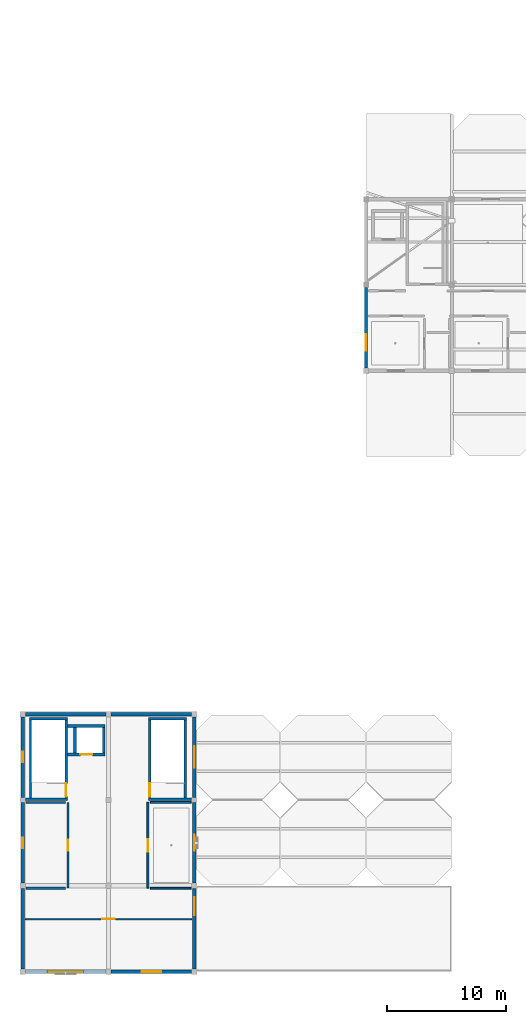
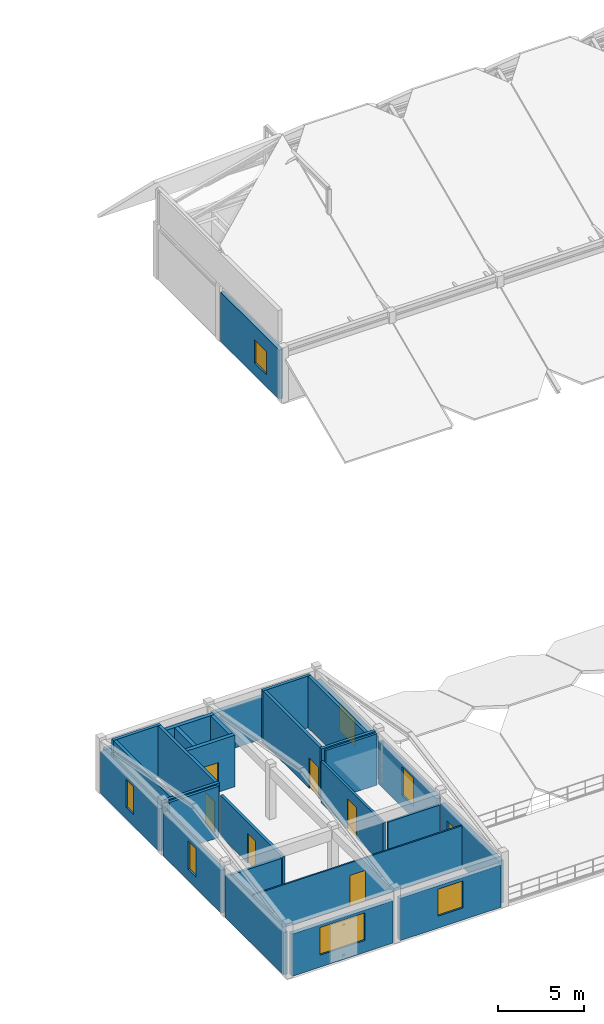
# One storey, part 37 of 54: 30 walls, 7 doors, 7 windows, 14 openings.
"""IFC4 building model written with IfcOpenShell, lengths in metres."""

import ifcopenshell
import ifcopenshell.guid

model = None  # the IFC model being written
_history = None  # IfcOwnerHistory: only IFC2X3 demands one
_inside = {}  # id of a spatial element -> (the spatial element, [elements in it])
_under = {}  # id of a project, library or spatial element -> (it, [spatial elements below it])
_declared = {}  # id of a project -> (the project, [libraries it declares])
_typed = {}  # id of a type object -> (the type object, [elements of that type])
_made_of = {}  # id of a material, layer set ... -> (it, [elements and type objects made of it])


def new_model(schema):
    """Start an empty IFC model of exactly this schema.

    Asked for "IFC4X3", IfcOpenShell would pick the latest addendum, in which some entities
    have other attributes; the version numbers below select the first issue.
    IFC2X3 requires an IfcOwnerHistory on every rooted entity: one is made here for all.
    """
    global model, _history
    if schema == "IFC4X3":
        model = ifcopenshell.file(schema_version=(4, 3, 0, 0))
    else:
        model = ifcopenshell.file(schema=schema)
    _inside.clear()
    _under.clear()
    _declared.clear()
    _typed.clear()
    _made_of.clear()
    _history = None
    if model.schema == "IFC2X3":
        org = make("IfcOrganization", Name="unknown")
        user = make(
            "IfcPersonAndOrganization",
            ThePerson=make("IfcPerson", FamilyName="unknown"),
            TheOrganization=org,
        )
        app = make(
            "IfcApplication",
            ApplicationDeveloper=org,
            Version="unknown",
            ApplicationFullName="unknown",
            ApplicationIdentifier="unknown",
        )
        _history = make(
            "IfcOwnerHistory",
            OwningUser=user,
            OwningApplication=app,
            ChangeAction="ADDED",
            CreationDate=0,
        )
    return model


def make(cls, **values):
    """One entity of the class cls with the attributes given. An attribute that is None is left unset."""
    return model.create_entity(
        cls, **{name: value for name, value in values.items() if value is not None}
    )


def rooted(cls, **values):
    """An entity with a GlobalId (a new one), such as an element, a storey or a relation."""
    return make(cls, GlobalId=ifcopenshell.guid.new(), OwnerHistory=_history, **values)


def si_unit(unit_type, name, prefix=None):
    """IfcSIUnit, for example si_unit("LENGTHUNIT", "METRE", prefix="MILLI")."""
    return make("IfcSIUnit", UnitType=unit_type, Prefix=prefix, Name=name)


def assignment(units):
    """IfcUnitAssignment: the units of a project."""
    return None if units is None else make("IfcUnitAssignment", Units=units)


def point(xyz):
    """IfcCartesianPoint."""
    return None if xyz is None else make("IfcCartesianPoint", Coordinates=xyz)


def direction(xyz):
    """IfcDirection."""
    return None if xyz is None else make("IfcDirection", DirectionRatios=xyz)


def frame(location, z_axis=None, x_axis=None):
    """IfcAxis2Placement3D, a coordinate frame: its origin and axes. An axis left out is left unset."""
    return make(
        "IfcAxis2Placement3D",
        Location=point(location),
        Axis=direction(z_axis),
        RefDirection=direction(x_axis),
    )


def frame_2d(location, x_axis=None):
    """IfcAxis2Placement2D, a coordinate frame in the plane: its origin and x axis."""
    return make(
        "IfcAxis2Placement2D", Location=point(location), RefDirection=direction(x_axis)
    )


def origin():
    """The frame at (0, 0, 0) with its axes left unset."""
    return frame((0.0, 0.0, 0.0))


def place(relative_to, where):
    """IfcLocalPlacement: puts the frame where relative to a parent placement (None: the world)."""
    return make(
        "IfcLocalPlacement", PlacementRelTo=relative_to, RelativePlacement=where
    )


def context(
    kind, dimensions, precision=None, world=None, true_north=None, identifier=None
):
    """IfcGeometricRepresentationContext, for example the 3D "Model" context."""
    return make(
        "IfcGeometricRepresentationContext",
        ContextIdentifier=identifier,
        ContextType=kind,
        CoordinateSpaceDimension=dimensions,
        Precision=precision,
        WorldCoordinateSystem=world,
        TrueNorth=true_north,
    )


def subcontext(parent, identifier, kind, view, scale=None):
    """IfcGeometricRepresentationSubContext, for example "Body" below "Model"."""
    return make(
        "IfcGeometricRepresentationSubContext",
        ContextIdentifier=identifier,
        ContextType=kind,
        ParentContext=parent,
        TargetScale=scale,
        TargetView=view,
    )


def project(units=None, contexts=None):
    """IfcProject with its units and contexts."""
    return rooted(
        "IfcProject",
        Name="project",
        RepresentationContexts=contexts,
        UnitsInContext=assignment(units),
    )


def spatial(cls, under=None, at=None, **own):
    """A site, building, storey or space (cls), placed at a placement, below another one or the project."""
    s = rooted(cls, ObjectPlacement=at, **own)
    if under is not None:
        _under.setdefault(under.id(), (under, []))[1].append(s)
    return s


def profile(cls, at=None, kind="AREA", **sizes):
    """A parametric profile (cls). Its sizes go by their IFC names, for example OverallWidth=200.0."""
    return make(cls, ProfileType=kind, Position=at, **sizes)


def rectangle(**sizes):
    """IfcRectangleProfileDef."""
    return profile("IfcRectangleProfileDef", **sizes)


def extrude(swept, where, along, depth):
    """IfcExtrudedAreaSolid: the profile swept, set in the frame where, extruded along a direction by depth."""
    return make(
        "IfcExtrudedAreaSolid",
        SweptArea=swept,
        Position=where,
        ExtrudedDirection=direction(along),
        Depth=depth,
    )


def shape(context_of_items, identifier, shape_type, items):
    """IfcShapeRepresentation: the items that make up one representation, for example the "Body"."""
    return make(
        "IfcShapeRepresentation",
        ContextOfItems=context_of_items,
        RepresentationIdentifier=identifier,
        RepresentationType=shape_type,
        Items=items,
    )


def material(Name=None, Category=None):
    """IfcMaterial."""
    return make("IfcMaterial", Name=Name, Category=Category)


def layer(
    of_material, thickness, ventilated=None, Name=None, Category=None, Priority=None
):
    """IfcMaterialLayer: one layer of a wall or slab, of a material (None: an air gap)."""
    return make(
        "IfcMaterialLayer",
        Material=of_material,
        LayerThickness=thickness,
        IsVentilated=ventilated,
        Name=Name,
        Category=Category,
        Priority=Priority,
    )


def layer_set(layers, Name=None):
    """IfcMaterialLayerSet."""
    return make("IfcMaterialLayerSet", MaterialLayers=layers, LayerSetName=Name)


def made_of(thing, what):
    """Note that an element or type object is made of a material, layer set ...; save() writes the relation."""
    if what is not None:
        _made_of.setdefault(what.id(), (what, []))[1].append(thing)
    return thing


def type_object(cls, material=None, **own):
    """A type object (cls), such as IfcWallType, which elements share."""
    return made_of(rooted(cls, **own), material)


def element(
    cls,
    number,
    at=None,
    inside=None,
    cuts=None,
    type_object=None,
    material=None,
    context=None,
    identifier="Body",
    shape_type=None,
    held_by="IfcProductDefinitionShape",
    body=None,
    shapes=None,
    **own,
):
    """One element of the class cls, such as IfcWall. Its Tag is "e" and its number.

    at: its placement. inside: the storey or other place that contains it. cuts: it is an
    opening in that element (IfcRelVoidsElement). A single representation is given by context,
    identifier, shape_type and body (its items); several are given by shapes. held_by: the class
    of the entity that holds the representations. save() writes the other relations.
    """
    e = rooted(cls, Tag="e%d" % number, ObjectPlacement=at, **own)
    if body is not None:
        shapes = [shape(context, identifier, shape_type, body)]
    if shapes is not None:
        e.Representation = make(held_by, Representations=shapes)
    if inside is not None:
        _inside.setdefault(inside.id(), (inside, []))[1].append(e)
    if cuts is not None:
        rooted(
            "IfcRelVoidsElement", RelatingBuildingElement=cuts, RelatedOpeningElement=e
        )
    if type_object is not None:
        _typed.setdefault(type_object.id(), (type_object, []))[1].append(e)
    return made_of(e, material)


def fill(opening, filler):
    """IfcRelFillsElement: the door or window that sits in an opening."""
    return rooted(
        "IfcRelFillsElement",
        RelatingOpeningElement=opening,
        RelatedBuildingElement=filler,
    )


def aggregate(whole, parts):
    """IfcRelAggregates: a whole, such as a stair, and the parts it consists of."""
    return rooted("IfcRelAggregates", RelatingObject=whole, RelatedObjects=parts)


def save(model, path):
    """Write the relations noted so far, then the file.

    IfcRelAggregates (storeys below a building ...), IfcRelContainedInSpatialStructure (elements
    in a storey), IfcRelDefinesByType, IfcRelAssociatesMaterial and IfcRelDeclares: one each for
    every whole, place, type object, material and project.
    """
    for whole, parts in _under.values():
        aggregate(whole, parts)
    for where, things in _inside.values():
        rooted(
            "IfcRelContainedInSpatialStructure",
            RelatedElements=things,
            RelatingStructure=where,
        )
    for kind, things in _typed.values():
        rooted("IfcRelDefinesByType", RelatedObjects=things, RelatingType=kind)
    for what, things in _made_of.values():
        rooted("IfcRelAssociatesMaterial", RelatedObjects=things, RelatingMaterial=what)
    for by, libraries in _declared.values():
        rooted("IfcRelDeclares", RelatingContext=by, RelatedDefinitions=libraries)
    model.write(path)


model = new_model("IFC4")

# Units and contexts
model_context = context("Model", 3, precision=1e-05, world=origin(), true_north=direction((0.0, 1.0)))
body_context = subcontext(model_context, "Body", "Model", "MODEL_VIEW")
ifc_project = project(units=[si_unit("LENGTHUNIT", "METRE"), si_unit("AREAUNIT", "SQUARE_METRE"), si_unit("VOLUMEUNIT", "CUBIC_METRE"), si_unit("PLANEANGLEUNIT", "RADIAN"), si_unit("MASSUNIT", "GRAM", prefix="KILO")], contexts=[model_context])

# Site, building, storey
site_placement = place(None, origin())
site = spatial("IfcSite", under=ifc_project, at=site_placement, CompositionType="ELEMENT")
building_placement = place(site_placement, origin())
building = spatial("IfcBuilding", under=site, at=building_placement, Name="Koriwan Promenade Central Fire Station", CompositionType="ELEMENT")
storey_placement = place(building_placement, frame((0.0, 0.0, 9.60009765625)))
storey = spatial("IfcBuildingStorey", under=building, at=storey_placement, Name="L02", CompositionType="ELEMENT", Elevation=9.60009765625)

# Wall, opening, door
ifc_material_1 = material(Name="Precast concrete C40/50", Category="concrete")
ifc_layer_1 = layer(ifc_material_1, 0.280029296875, Name="Precast concrete C40/50")
ifc_layer_set_1 = layer_set([ifc_layer_1], Name="Precast concrete C40/50")
wall_type_1 = type_object("IfcWallType", Name="ExtWall_Terracotta_280", PredefinedType="ELEMENTEDWALL", material=ifc_layer_set_1)
wall_1_placement = place(storey_placement, frame((14.39990234375, 0.22509765625, 0.0), z_axis=(0.0, 0.0, 1.0), x_axis=(0.0, 1.0, 0.0)))
wall_1 = element("IfcWall", 1, at=wall_1_placement, inside=storey, type_object=wall_type_1, Name="V3 L02 exterior wall 143", PredefinedType="ELEMENTEDWALL", context=body_context, shape_type="SweptSolid", body=[
    extrude(rectangle(XDim=6.75, YDim=0.280029296875, at=frame_2d((3.375, 0.0))), origin(), (0.0, 0.0, 1.0), 2.989990234375),
])
opening_1_placement = place(wall_1_placement, frame((4.514892578125, 0.0, 0.0)))
opening_1 = element("IfcOpeningElement", 2, at=opening_1_placement, cuts=wall_1, Name="Opening TD-020", PredefinedType="OPENING", context=body_context, shape_type="SweptSolid", body=[
    extrude(rectangle(XDim=1.5, YDim=2.199951171875, at=frame_2d((0.75, 1.10009765625))), frame((0.0, 0.15185546875, 0.0), z_axis=(0.0, -1.0, 0.0), x_axis=(1.0, 0.0, 0.0)), (0.0, 0.0, 1.0), 0.303955078125),
])
ifc_material_2 = material(Name="Aluminium EN AW-6063-T6 and laminated safety glass", Category="aluminium")
door_type_1 = type_object("IfcDoorType", Name="TerraceDoor_1500x2200", OperationType="DOUBLE_SWING_LEFT", PredefinedType="DOOR", material=ifc_material_2)
door_1_placement = place(opening_1_placement, frame((1.5, 0.0, 0.0), z_axis=(0.0, 0.0, 1.0), x_axis=(-1.0, 0.0, 0.0)))
door_1 = element("IfcDoor", 3, at=door_1_placement, inside=storey, type_object=door_type_1, Name="V3 L02 Terrace Access Door TD-020", OperationType="DOUBLE_SWING_LEFT", OverallHeight=2.199951171875, OverallWidth=1.5, PredefinedType="DOOR", context=body_context, shape_type="SweptSolid", body=[
    extrude(rectangle(XDim=1.5, YDim=2.199951171875, at=frame_2d((0.75, 1.10009765625))), frame((0.0, 0.02490234375, 0.0), z_axis=(0.0, -1.0, 0.0), x_axis=(1.0, 0.0, 0.0)), (0.0, 0.0, 1.0), 0.050048828125),
])
fill(opening_1, door_1)

# Wall, opening, window
wall_2_placement = place(storey_placement, frame((14.39990234375, 7.425048828125, 0.0), z_axis=(0.0, 0.0, 1.0), x_axis=(0.0, 1.0, 0.0)))
wall_2 = element("IfcWall", 4, at=wall_2_placement, inside=storey, type_object=wall_type_1, Name="V3 L02 exterior wall 144", PredefinedType="ELEMENTEDWALL", context=body_context, shape_type="SweptSolid", body=[
    extrude(rectangle(XDim=6.75, YDim=0.280029296875, at=frame_2d((3.375, 0.0))), origin(), (0.0, 0.0, 1.0), 3.039794921875),
])
opening_2_placement = place(wall_2_placement, frame((2.699951171875, 0.0, 0.85009765625)))
opening_2 = element("IfcOpeningElement", 5, at=opening_2_placement, cuts=wall_2, Name="Opening W-05", PredefinedType="OPENING", context=body_context, shape_type="SweptSolid", body=[
    extrude(rectangle(XDim=1.35009765625, YDim=2.0, at=frame_2d((0.675048828125, 1.0))), frame((0.0, 0.15185546875, 0.0), z_axis=(0.0, -1.0, 0.0), x_axis=(1.0, 0.0, 0.0)), (0.0, 0.0, 1.0), 0.303955078125),
])
ifc_material_3 = material(Name="Solar-control low-E laminated double glazing", Category="glass")
window_type_1 = type_object("IfcWindowType", Name="Win_HQ_1350x2000", PartitioningType="SINGLE_PANEL", PredefinedType="WINDOW", material=ifc_material_3)
window_1_placement = place(opening_2_placement, origin())
window_1 = element("IfcWindow", 6, at=window_1_placement, inside=storey, type_object=window_type_1, Name="V3 L02 window 0060", OverallHeight=2.0, OverallWidth=1.35009765625, PartitioningType="SINGLE_PANEL", PredefinedType="WINDOW", context=body_context, shape_type="SweptSolid", body=[
    extrude(rectangle(XDim=1.35009765625, YDim=2.0, at=frame_2d((0.675048828125, 1.0))), frame((0.0, 0.030029296875, 0.0), z_axis=(0.0, -1.0, 0.0), x_axis=(1.0, 0.0, 0.0)), (0.0, 0.0, 1.0), 0.06005859375),
])
fill(opening_2, window_1)

wall_3_placement = place(storey_placement, frame((14.39990234375, 14.625, 0.0), z_axis=(0.0, 0.0, 1.0), x_axis=(0.0, 1.0, 0.0)))
wall_3 = element("IfcWall", 7, at=wall_3_placement, inside=storey, type_object=wall_type_1, Name="V3 L02 exterior wall 145", PredefinedType="ELEMENTEDWALL", context=body_context, shape_type="SweptSolid", body=[
    extrude(rectangle(XDim=6.75, YDim=0.280029296875, at=frame_2d((3.375, 0.0))), origin(), (0.0, 0.0, 1.0), 2.989990234375),
])
opening_3_placement = place(wall_3_placement, frame((2.47509765625, 0.0, 0.85009765625)))
opening_3 = element("IfcOpeningElement", 8, at=opening_3_placement, cuts=wall_3, Name="Opening W-06", PredefinedType="OPENING", context=body_context, shape_type="SweptSolid", body=[
    extrude(rectangle(XDim=1.800048828125, YDim=1.949951171875, at=frame_2d((0.89990234375, 0.97509765625))), frame((0.0, 0.15185546875, 0.0), z_axis=(0.0, -1.0, 0.0), x_axis=(1.0, 0.0, 0.0)), (0.0, 0.0, 1.0), 0.303955078125),
])
window_type_2 = type_object("IfcWindowType", Name="Win_HQ_1800x1950", PartitioningType="SINGLE_PANEL", PredefinedType="WINDOW", material=ifc_material_3)
window_2_placement = place(opening_3_placement, origin())
window_2 = element("IfcWindow", 9, at=window_2_placement, inside=storey, type_object=window_type_2, Name="V3 L02 window 0061", OverallHeight=1.949951171875, OverallWidth=1.800048828125, PartitioningType="SINGLE_PANEL", PredefinedType="WINDOW", context=body_context, shape_type="SweptSolid", body=[
    extrude(rectangle(XDim=1.800048828125, YDim=1.949951171875, at=frame_2d((0.89990234375, 0.97509765625))), frame((0.0, 0.030029296875, 0.0), z_axis=(0.0, -1.0, 0.0), x_axis=(1.0, 0.0, 0.0)), (0.0, 0.0, 1.0), 0.06005859375),
])
fill(opening_3, window_2)

# Walls
wall_4_placement = place(storey_placement, frame((14.175048828125, 21.60009765625, 0.0), z_axis=(0.0, 0.0, 1.0), x_axis=(-1.0, 0.0, 0.0)))
element("IfcWall", 10, at=wall_4_placement, inside=storey, type_object=wall_type_1, Name="V3 L02 exterior wall 146", PredefinedType="ELEMENTEDWALL", context=body_context, shape_type="SweptSolid", body=[
    extrude(rectangle(XDim=6.75, YDim=0.280029296875, at=frame_2d((3.375, 0.0))), origin(), (0.0, 0.0, 1.0), 2.93994140625),
])
wall_5_placement = place(storey_placement, frame((6.97509765625, 21.60009765625, 0.0), z_axis=(0.0, 0.0, 1.0), x_axis=(-1.0, 0.0, 0.0)))
element("IfcWall", 11, at=wall_5_placement, inside=storey, type_object=wall_type_1, Name="V3 L02 exterior wall 147", PredefinedType="ELEMENTEDWALL", context=body_context, shape_type="SweptSolid", body=[
    extrude(rectangle(XDim=6.75, YDim=0.280029296875, at=frame_2d((3.375, 0.0))), origin(), (0.0, 0.0, 1.0), 2.889892578125),
])

# Wall, opening, window
wall_6_placement = place(storey_placement, frame((0.0, 21.375, 0.0), z_axis=(0.0, 0.0, 1.0), x_axis=(0.0, -1.0, 0.0)))
wall_6 = element("IfcWall", 12, at=wall_6_placement, inside=storey, type_object=wall_type_1, Name="V3 L02 exterior wall 148", PredefinedType="ELEMENTEDWALL", context=body_context, shape_type="SweptSolid", body=[
    extrude(rectangle(XDim=6.75, YDim=0.280029296875, at=frame_2d((3.375, 0.0))), origin(), (0.0, 0.0, 1.0), 2.989990234375),
])
opening_4_placement = place(wall_6_placement, frame((2.925048828125, 0.0, 0.800048828125)))
opening_4 = element("IfcOpeningElement", 13, at=opening_4_placement, cuts=wall_6, Name="Opening W-04", PredefinedType="OPENING", context=body_context, shape_type="SweptSolid", body=[
    extrude(rectangle(XDim=0.89990234375, YDim=2.0, at=frame_2d((0.449951171875, 1.0))), frame((0.0, 0.15185546875, 0.0), z_axis=(0.0, -1.0, 0.0), x_axis=(1.0, 0.0, 0.0)), (0.0, 0.0, 1.0), 0.303955078125),
])
window_type_3 = type_object("IfcWindowType", Name="Win_HQ_900x2000", PartitioningType="SINGLE_PANEL", PredefinedType="WINDOW", material=ifc_material_3)
window_3_placement = place(opening_4_placement, origin())
window_3 = element("IfcWindow", 14, at=window_3_placement, inside=storey, type_object=window_type_3, Name="V3 L02 window 0062", OverallHeight=2.0, OverallWidth=0.89990234375, PartitioningType="SINGLE_PANEL", PredefinedType="WINDOW", context=body_context, shape_type="SweptSolid", body=[
    extrude(rectangle(XDim=0.89990234375, YDim=2.0, at=frame_2d((0.449951171875, 1.0))), frame((0.0, 0.030029296875, 0.0), z_axis=(0.0, -1.0, 0.0), x_axis=(1.0, 0.0, 0.0)), (0.0, 0.0, 1.0), 0.06005859375),
])
fill(opening_4, window_3)

wall_7_placement = place(storey_placement, frame((0.0, 14.175048828125, 0.0), z_axis=(0.0, 0.0, 1.0), x_axis=(0.0, -1.0, 0.0)))
wall_7 = element("IfcWall", 15, at=wall_7_placement, inside=storey, type_object=wall_type_1, Name="V3 L02 exterior wall 149", PredefinedType="ELEMENTEDWALL", context=body_context, shape_type="SweptSolid", body=[
    extrude(rectangle(XDim=6.75, YDim=0.280029296875, at=frame_2d((3.375, 0.0))), origin(), (0.0, 0.0, 1.0), 3.039794921875),
])
opening_5_placement = place(wall_7_placement, frame((2.925048828125, 0.0, 0.800048828125)))
opening_5 = element("IfcOpeningElement", 16, at=opening_5_placement, cuts=wall_7, Name="Opening W-04", PredefinedType="OPENING", context=body_context, shape_type="SweptSolid", body=[
    extrude(rectangle(XDim=0.89990234375, YDim=2.0, at=frame_2d((0.449951171875, 1.0))), frame((0.0, 0.15185546875, 0.0), z_axis=(0.0, -1.0, 0.0), x_axis=(1.0, 0.0, 0.0)), (0.0, 0.0, 1.0), 0.303955078125),
])
window_4_placement = place(opening_5_placement, origin())
window_4 = element("IfcWindow", 17, at=window_4_placement, inside=storey, type_object=window_type_3, Name="V3 L02 window 0063", OverallHeight=2.0, OverallWidth=0.89990234375, PartitioningType="SINGLE_PANEL", PredefinedType="WINDOW", context=body_context, shape_type="SweptSolid", body=[
    extrude(rectangle(XDim=0.89990234375, YDim=2.0, at=frame_2d((0.449951171875, 1.0))), frame((0.0, 0.030029296875, 0.0), z_axis=(0.0, -1.0, 0.0), x_axis=(1.0, 0.0, 0.0)), (0.0, 0.0, 1.0), 0.06005859375),
])
fill(opening_5, window_4)

# Wall
wall_8_placement = place(storey_placement, frame((0.0, 6.97509765625, 0.0), z_axis=(0.0, 0.0, 1.0), x_axis=(0.0, -1.0, 0.0)))
element("IfcWall", 18, at=wall_8_placement, inside=storey, type_object=wall_type_1, Name="V3 L02 exterior wall 150", PredefinedType="ELEMENTEDWALL", context=body_context, shape_type="SweptSolid", body=[
    extrude(rectangle(XDim=6.75, YDim=0.280029296875, at=frame_2d((3.375, 0.0))), origin(), (0.0, 0.0, 1.0), 2.989990234375),
])

# Wall, opening, window
wall_9_placement = place(storey_placement, frame((0.22509765625, 0.0, 0.0), z_axis=(0.0, 0.0, 1.0), x_axis=(1.0, 0.0, 0.0)))
wall_9 = element("IfcWall", 19, at=wall_9_placement, inside=storey, type_object=wall_type_1, Name="V3 L02 exterior wall 151", PredefinedType="ELEMENTEDWALL", context=body_context, shape_type="SweptSolid", body=[
    extrude(rectangle(XDim=6.75, YDim=0.280029296875, at=frame_2d((3.375, 0.0))), origin(), (0.0, 0.0, 1.0), 2.989990234375),
])
opening_6_placement = place(wall_9_placement, frame((1.875, 0.0, 0.85009765625)))
opening_6 = element("IfcOpeningElement", 20, at=opening_6_placement, cuts=wall_9, Name="Opening W-14", PredefinedType="OPENING", context=body_context, shape_type="SweptSolid", body=[
    extrude(rectangle(XDim=3.0, YDim=1.949951171875, at=frame_2d((1.5, 0.97509765625))), frame((0.0, 0.15185546875, 0.0), z_axis=(0.0, -1.0, 0.0), x_axis=(1.0, 0.0, 0.0)), (0.0, 0.0, 1.0), 0.303955078125),
])
window_type_4 = type_object("IfcWindowType", Name="Win_Watch_3000x1950", PartitioningType="SINGLE_PANEL", PredefinedType="WINDOW", material=ifc_material_3)
window_5_placement = place(opening_6_placement, origin())
window_5 = element("IfcWindow", 21, at=window_5_placement, inside=storey, type_object=window_type_4, Name="V3 L02 window 0064", OverallHeight=1.949951171875, OverallWidth=3.0, PartitioningType="SINGLE_PANEL", PredefinedType="WINDOW", context=body_context, shape_type="SweptSolid", body=[
    extrude(rectangle(XDim=3.0, YDim=1.949951171875, at=frame_2d((1.5, 0.97509765625))), frame((0.0, 0.030029296875, 0.0), z_axis=(0.0, -1.0, 0.0), x_axis=(1.0, 0.0, 0.0)), (0.0, 0.0, 1.0), 0.06005859375),
])
fill(opening_6, window_5)

wall_10_placement = place(storey_placement, frame((7.425048828125, 0.0, 0.0), z_axis=(0.0, 0.0, 1.0), x_axis=(1.0, 0.0, 0.0)))
wall_10 = element("IfcWall", 22, at=wall_10_placement, inside=storey, type_object=wall_type_1, Name="V3 L02 exterior wall 152", PredefinedType="ELEMENTEDWALL", context=body_context, shape_type="SweptSolid", body=[
    extrude(rectangle(XDim=6.75, YDim=0.280029296875, at=frame_2d((3.375, 0.0))), origin(), (0.0, 0.0, 1.0), 2.989990234375),
])
opening_7_placement = place(wall_10_placement, frame((2.550048828125, 0.0, 0.85009765625)))
opening_7 = element("IfcOpeningElement", 23, at=opening_7_placement, cuts=wall_10, Name="Opening W-15", PredefinedType="OPENING", context=body_context, shape_type="SweptSolid", body=[
    extrude(rectangle(XDim=1.64990234375, YDim=1.89990234375, at=frame_2d((0.824951171875, 0.949951171875))), frame((0.0, 0.15185546875, 0.0), z_axis=(0.0, -1.0, 0.0), x_axis=(1.0, 0.0, 0.0)), (0.0, 0.0, 1.0), 0.303955078125),
])
window_type_5 = type_object("IfcWindowType", Name="Win_Office_1650x1900", PartitioningType="SINGLE_PANEL", PredefinedType="WINDOW", material=ifc_material_3)
window_6_placement = place(opening_7_placement, origin())
window_6 = element("IfcWindow", 24, at=window_6_placement, inside=storey, type_object=window_type_5, Name="V3 L02 window 0065", OverallHeight=1.89990234375, OverallWidth=1.64990234375, PartitioningType="SINGLE_PANEL", PredefinedType="WINDOW", context=body_context, shape_type="SweptSolid", body=[
    extrude(rectangle(XDim=1.64990234375, YDim=1.89990234375, at=frame_2d((0.824951171875, 0.949951171875))), frame((0.0, 0.030029296875, 0.0), z_axis=(0.0, -1.0, 0.0), x_axis=(1.0, 0.0, 0.0)), (0.0, 0.0, 1.0), 0.06005859375),
])
fill(opening_7, window_6)

wall_11_placement = place(storey_placement, frame((28.800048828125, 57.375, 0.0), z_axis=(0.0, 0.0, 1.0), x_axis=(0.0, -1.0, 0.0)))
wall_11 = element("IfcWall", 25, at=wall_11_placement, inside=storey, type_object=wall_type_1, Name="V4 L02 exterior wall 200", PredefinedType="ELEMENTEDWALL", context=body_context, shape_type="SweptSolid", body=[
    extrude(rectangle(XDim=6.75, YDim=0.280029296875, at=frame_2d((3.375, 0.0))), origin(), (0.0, 0.0, 1.0), 3.472900390625),
])
opening_8_placement = place(wall_11_placement, frame((3.91259765625, 0.0, 0.85009765625)))
opening_8 = element("IfcOpeningElement", 26, at=opening_8_placement, cuts=wall_11, Name="Opening W-07", PredefinedType="OPENING", context=body_context, shape_type="SweptSolid", body=[
    extrude(rectangle(XDim=1.39990234375, YDim=1.64990234375, at=frame_2d((0.699951171875, 0.824951171875))), frame((0.0, 0.15185546875, 0.0), z_axis=(0.0, -1.0, 0.0), x_axis=(1.0, 0.0, 0.0)), (0.0, 0.0, 1.0), 0.303955078125),
])
window_type_6 = type_object("IfcWindowType", Name="Win_Dorm_1400x1650", PartitioningType="SINGLE_PANEL", PredefinedType="WINDOW", material=ifc_material_3)
window_7_placement = place(opening_8_placement, origin())
window_7 = element("IfcWindow", 27, at=window_7_placement, inside=storey, type_object=window_type_6, Name="V4 L02 dormitory window 0079", OverallHeight=1.64990234375, OverallWidth=1.39990234375, PartitioningType="SINGLE_PANEL", PredefinedType="WINDOW", context=body_context, shape_type="SweptSolid", body=[
    extrude(rectangle(XDim=1.39990234375, YDim=1.64990234375, at=frame_2d((0.699951171875, 0.824951171875))), frame((0.0, 0.030029296875, 0.0), z_axis=(0.0, -1.0, 0.0), x_axis=(1.0, 0.0, 0.0)), (0.0, 0.0, 1.0), 0.06005859375),
])
fill(opening_8, window_7)

# Wall, opening, door
ifc_material_4 = material(Name="Gypsum board acoustic stud partition", Category="gypsum")
ifc_layer_2 = layer(ifc_material_4, 0.10009765625, Name="Gypsum board acoustic stud partition")
ifc_layer_set_2 = layer_set([ifc_layer_2], Name="Gypsum board acoustic stud partition")
wall_type_2 = type_object("IfcWallType", Name="IntWall_Drywall_100", PredefinedType="PARTITIONING", material=ifc_layer_set_2)
wall_12_placement = place(storey_placement, frame((0.219970703125, 4.39990234375, 0.0), z_axis=(0.0, 0.0, 1.0), x_axis=(1.0, 0.0, 0.0)))
wall_12 = element("IfcWall", 28, at=wall_12_placement, inside=storey, type_object=wall_type_2, Name="Emergency Broadcast and Media Studio partition N", PredefinedType="PARTITIONING", context=body_context, shape_type="SweptSolid", body=[
    extrude(rectangle(XDim=13.9599609375, YDim=0.10009765625, at=frame_2d((6.97998046875, 0.0))), origin(), (0.0, 0.0, 1.0), 3.037841796875),
])
opening_9_placement = place(wall_12_placement, frame((6.455078125, 0.0, 0.0)))
opening_9 = element("IfcOpeningElement", 29, at=opening_9_placement, cuts=wall_12, Name="Opening D-120", PredefinedType="OPENING", context=body_context, shape_type="SweptSolid", body=[
    extrude(rectangle(XDim=1.050048828125, YDim=2.14990234375, at=frame_2d((0.52490234375, 1.074951171875))), frame((0.0, 0.06201171875, 0.0), z_axis=(0.0, -1.0, 0.0), x_axis=(1.0, 0.0, 0.0)), (0.0, 0.0, 1.0), 0.1240234375),
])
ifc_material_5 = material(Name="Hardwood veneer solid-core timber", Category="wood")
door_type_2 = type_object("IfcDoorType", Name="RoomDoor_Class_1050x2150", OperationType="NOTDEFINED", PredefinedType="DOOR", material=ifc_material_5)
door_2_placement = place(opening_9_placement, origin())
door_2 = element("IfcDoor", 30, at=door_2_placement, inside=storey, type_object=door_type_2, Name="Emergency Broadcast and Media Studio Door D-120", OperationType="SINGLE_SWING_RIGHT", OverallHeight=2.14990234375, OverallWidth=1.050048828125, PredefinedType="DOOR", context=body_context, shape_type="SweptSolid", body=[
    extrude(rectangle(XDim=1.050048828125, YDim=2.14990234375, at=frame_2d((0.52490234375, 1.074951171875))), frame((0.0, 0.02490234375, 0.0), z_axis=(0.0, -1.0, 0.0), x_axis=(1.0, 0.0, 0.0)), (0.0, 0.0, 1.0), 0.050048828125),
])
fill(opening_9, door_2)

ifc_material_6 = material(Name="Clay brick plastered masonry wall", Category="masonry")
ifc_layer_3 = layer(ifc_material_6, 0.14990234375, Name="Clay brick plastered masonry wall")
ifc_layer_set_3 = layer_set([ifc_layer_3], Name="Clay brick plastered masonry wall")
wall_type_3 = type_object("IfcWallType", Name="IntWall_Masonry_150", PredefinedType="STANDARD", material=ifc_layer_set_3)
wall_13_placement = place(storey_placement, frame((10.5, 7.0, 0.0), z_axis=(0.0, 0.0, 1.0), x_axis=(0.0, 1.0, 0.0)))
wall_13 = element("IfcWall", 31, at=wall_13_placement, inside=storey, type_object=wall_type_3, Name="Community First-Aid Classroom partition W", PredefinedType="STANDARD", context=body_context, shape_type="SweptSolid", body=[
    extrude(rectangle(XDim=7.199951171875, YDim=0.14990234375, at=frame_2d((3.60009765625, 0.0))), origin(), (0.0, 0.0, 1.0), 2.93798828125),
])
opening_10_placement = place(wall_13_placement, frame((3.074951171875, 0.0, 0.0)))
opening_10 = element("IfcOpeningElement", 32, at=opening_10_placement, cuts=wall_13, Name="Opening D-121", PredefinedType="OPENING", context=body_context, shape_type="SweptSolid", body=[
    extrude(rectangle(XDim=1.050048828125, YDim=2.14990234375, at=frame_2d((0.52490234375, 1.074951171875))), frame((0.0, 0.0869140625, 0.0), z_axis=(0.0, -1.0, 0.0), x_axis=(1.0, 0.0, 0.0)), (0.0, 0.0, 1.0), 0.173828125),
])
door_3_placement = place(opening_10_placement, origin())
door_3 = element("IfcDoor", 33, at=door_3_placement, inside=storey, type_object=door_type_2, Name="Community First-Aid Classroom Door D-121", OperationType="SINGLE_SWING_LEFT", OverallHeight=2.14990234375, OverallWidth=1.050048828125, PredefinedType="DOOR", context=body_context, shape_type="SweptSolid", body=[
    extrude(rectangle(XDim=1.050048828125, YDim=2.14990234375, at=frame_2d((0.52490234375, 1.074951171875))), frame((0.0, 0.02490234375, 0.0), z_axis=(0.0, -1.0, 0.0), x_axis=(1.0, 0.0, 0.0)), (0.0, 0.0, 1.0), 0.050048828125),
])
fill(opening_10, door_3)

# Walls
wall_14_placement = place(storey_placement, frame((10.719970703125, 7.0, 0.0), z_axis=(0.0, 0.0, 1.0), x_axis=(1.0, 0.0, 0.0)))
element("IfcWall", 34, at=wall_14_placement, inside=storey, type_object=wall_type_3, Name="Community First-Aid Classroom partition S", PredefinedType="STANDARD", context=body_context, shape_type="SweptSolid", body=[
    extrude(rectangle(XDim=3.4150390625, YDim=0.14990234375, at=frame_2d((1.70751953125, 0.0))), origin(), (0.0, 0.0, 1.0), 2.93798828125),
])
wall_15_placement = place(storey_placement, frame((10.719970703125, 14.199951171875, 0.0), z_axis=(0.0, 0.0, 1.0), x_axis=(1.0, 0.0, 0.0)))
element("IfcWall", 35, at=wall_15_placement, inside=storey, type_object=wall_type_3, Name="Community First-Aid Classroom partition N", PredefinedType="STANDARD", context=body_context, shape_type="SweptSolid", body=[
    extrude(rectangle(XDim=3.4150390625, YDim=0.14990234375, at=frame_2d((1.70751953125, 0.0))), origin(), (0.0, 0.0, 1.0), 3.619873046875),
])

# Wall, opening, door
ifc_material_7 = material(Name="Moisture-resistant sanitary chase wall", Category="gypsum")
ifc_layer_4 = layer(ifc_material_7, 0.179931640625, Name="Moisture-resistant sanitary chase wall")
ifc_layer_set_4 = layer_set([ifc_layer_4], Name="Moisture-resistant sanitary chase wall")
wall_type_4 = type_object("IfcWallType", Name="IntWall_Plumbing_180", PredefinedType="PLUMBINGWALL", material=ifc_layer_set_4)
wall_16_placement = place(storey_placement, frame((3.800048828125, 7.0, 0.0), z_axis=(0.0, 0.0, 1.0), x_axis=(0.0, 1.0, 0.0)))
wall_16 = element("IfcWall", 36, at=wall_16_placement, inside=storey, type_object=wall_type_4, Name="Upper Pavilion Accessible WC partition E", PredefinedType="PLUMBINGWALL", context=body_context, shape_type="SweptSolid", body=[
    extrude(rectangle(XDim=7.199951171875, YDim=0.179931640625, at=frame_2d((3.60009765625, 0.0))), origin(), (0.0, 0.0, 1.0), 2.887939453125),
])
opening_11_placement = place(wall_16_placement, frame((3.14990234375, 0.0, 0.0)))
opening_11 = element("IfcOpeningElement", 37, at=opening_11_placement, cuts=wall_16, Name="Opening D-122", PredefinedType="OPENING", context=body_context, shape_type="SweptSolid", body=[
    extrude(rectangle(XDim=0.89990234375, YDim=2.10009765625, at=frame_2d((0.449951171875, 1.050048828125))), frame((0.0, 0.10205078125, 0.0), z_axis=(0.0, -1.0, 0.0), x_axis=(1.0, 0.0, 0.0)), (0.0, 0.0, 1.0), 0.203857421875),
])
ifc_material_8 = material(Name="High-pressure laminate moisture-resistant core", Category="wood")
door_type_3 = type_object("IfcDoorType", Name="RoomDoor_WC_900x2100", OperationType="NOTDEFINED", PredefinedType="DOOR", material=ifc_material_8)
door_4_placement = place(opening_11_placement, origin())
door_4 = element("IfcDoor", 38, at=door_4_placement, inside=storey, type_object=door_type_3, Name="Upper Pavilion Accessible WC Door D-122", OperationType="SINGLE_SWING_RIGHT", OverallHeight=2.10009765625, OverallWidth=0.89990234375, PredefinedType="DOOR", context=body_context, shape_type="SweptSolid", body=[
    extrude(rectangle(XDim=0.89990234375, YDim=2.10009765625, at=frame_2d((0.449951171875, 1.050048828125))), frame((0.0, 0.02490234375, 0.0), z_axis=(0.0, -1.0, 0.0), x_axis=(1.0, 0.0, 0.0)), (0.0, 0.0, 1.0), 0.050048828125),
])
fill(opening_11, door_4)

# Walls
wall_17_placement = place(storey_placement, frame((0.264892578125, 7.0, 0.0), z_axis=(0.0, 0.0, 1.0), x_axis=(1.0, 0.0, 0.0)))
element("IfcWall", 39, at=wall_17_placement, inside=storey, type_object=wall_type_4, Name="Upper Pavilion Accessible WC partition S", PredefinedType="PLUMBINGWALL", context=body_context, shape_type="SweptSolid", body=[
    extrude(rectangle(XDim=3.315185546875, YDim=0.179931640625, at=frame_2d((1.65771484375, 0.0))), origin(), (0.0, 0.0, 1.0), 2.887939453125),
])
wall_18_placement = place(storey_placement, frame((0.264892578125, 14.199951171875, 0.0), z_axis=(0.0, 0.0, 1.0), x_axis=(1.0, 0.0, 0.0)))
element("IfcWall", 40, at=wall_18_placement, inside=storey, type_object=wall_type_4, Name="Upper Pavilion Accessible WC partition N", PredefinedType="PLUMBINGWALL", context=body_context, shape_type="SweptSolid", body=[
    extrude(rectangle(XDim=3.315185546875, YDim=0.179931640625, at=frame_2d((1.65771484375, 0.0))), origin(), (0.0, 0.0, 1.0), 3.619873046875),
])
ifc_material_9 = material(Name="Concrete C40/50", Category="concrete")
ifc_layer_5 = layer(ifc_material_9, 0.199951171875, Name="Concrete C40/50")
ifc_layer_set_5 = layer_set([ifc_layer_5], Name="Concrete C40/50")
wall_type_5 = type_object("IfcWallType", Name="ShearWall_200", PredefinedType="SHEAR", material=ifc_layer_set_5)
wall_19_placement = place(storey_placement, frame((0.22509765625, 14.449951171875, 0.0), z_axis=(0.0, 0.0, 1.0), x_axis=(1.0, 0.0, 0.0)))
element("IfcWall", 41, at=wall_19_placement, inside=storey, type_object=wall_type_5, Name="ST14 L02 structural stair wall S", PredefinedType="SHEAR", context=body_context, shape_type="SweptSolid", body=[
    extrude(rectangle(XDim=3.52490234375, YDim=0.199951171875, at=frame_2d((1.762451171875, 0.0))), origin(), (0.0, 0.0, 1.0), 3.64990234375),
])
wall_20_placement = place(storey_placement, frame((0.56005859375, 21.2099609375, 0.0), z_axis=(0.0, 0.0, 1.0), x_axis=(1.0, 0.0, 0.0)))
element("IfcWall", 42, at=wall_20_placement, inside=storey, type_object=wall_type_5, Name="ST14 L02 structural stair wall N", PredefinedType="SHEAR", context=body_context, shape_type="SweptSolid", body=[
    extrude(rectangle(XDim=3.18994140625, YDim=0.199951171875, at=frame_2d((1.594970703125, 0.0))), origin(), (0.0, 0.0, 1.0), 3.64990234375),
])
wall_21_placement = place(storey_placement, frame((0.659912109375, 14.550048828125, 0.0), z_axis=(0.0, 0.0, 1.0), x_axis=(0.0, 1.0, 0.0)))
element("IfcWall", 43, at=wall_21_placement, inside=storey, type_object=wall_type_5, Name="ST14 L02 structural stair wall W", PredefinedType="SHEAR", context=body_context, shape_type="SweptSolid", body=[
    extrude(rectangle(XDim=6.56005859375, YDim=0.199951171875, at=frame_2d((3.280029296875, 0.0))), origin(), (0.0, 0.0, 1.0), 3.64990234375),
])

# Wall, opening, door
wall_22_placement = place(storey_placement, frame((3.64990234375, 14.550048828125, 0.0), z_axis=(0.0, 0.0, 1.0), x_axis=(0.0, 1.0, 0.0)))
wall_22 = element("IfcWall", 44, at=wall_22_placement, inside=storey, type_object=wall_type_5, Name="ST14 L02 structural stair wall E", PredefinedType="SHEAR", context=body_context, shape_type="SweptSolid", body=[
    extrude(rectangle(XDim=6.56005859375, YDim=0.199951171875, at=frame_2d((3.280029296875, 0.0))), origin(), (0.0, 0.0, 1.0), 3.64990234375),
])
opening_12_placement = place(wall_22_placement, frame((0.139892578125, 0.0, 0.0)))
opening_12 = element("IfcOpeningElement", 45, at=opening_12_placement, cuts=wall_22, Name="Opening SD-022", PredefinedType="OPENING", context=body_context, shape_type="SweptSolid", body=[
    extrude(rectangle(XDim=1.10009765625, YDim=2.14990234375, at=frame_2d((0.550048828125, 1.074951171875))), frame((0.0, 0.11181640625, 0.0), z_axis=(0.0, -1.0, 0.0), x_axis=(1.0, 0.0, 0.0)), (0.0, 0.0, 1.0), 0.223876953125),
])
ifc_material_10 = material(Name="Painted galvanized fire-door steel", Category="steel")
door_type_4 = type_object("IfcDoorType", Name="FireDoor_Stair_1100x2150", OperationType="NOTDEFINED", PredefinedType="DOOR", material=ifc_material_10)
door_5_placement = place(opening_12_placement, origin())
door_5 = element("IfcDoor", 46, at=door_5_placement, inside=storey, type_object=door_type_4, Name="Protected Stair ST14 Fire Door SD-022", OperationType="SINGLE_SWING_LEFT", OverallHeight=2.14990234375, OverallWidth=1.10009765625, PredefinedType="DOOR", context=body_context, shape_type="SweptSolid", body=[
    extrude(rectangle(XDim=1.10009765625, YDim=2.14990234375, at=frame_2d((0.550048828125, 1.074951171875))), frame((0.0, 0.02490234375, 0.0), z_axis=(0.0, -1.0, 0.0), x_axis=(1.0, 0.0, 0.0)), (0.0, 0.0, 1.0), 0.050048828125),
])
fill(opening_12, door_5)

# Walls
wall_23_placement = place(storey_placement, frame((10.56005859375, 14.449951171875, 0.0), z_axis=(0.0, 0.0, 1.0), x_axis=(1.0, 0.0, 0.0)))
element("IfcWall", 47, at=wall_23_placement, inside=storey, type_object=wall_type_5, Name="ST16 L02 structural stair wall S", PredefinedType="SHEAR", context=body_context, shape_type="SweptSolid", body=[
    extrude(rectangle(XDim=3.614990234375, YDim=0.199951171875, at=frame_2d((1.8076171875, 0.0))), origin(), (0.0, 0.0, 1.0), 3.64990234375),
])
wall_24_placement = place(storey_placement, frame((10.56005859375, 21.2099609375, 0.0), z_axis=(0.0, 0.0, 1.0), x_axis=(1.0, 0.0, 0.0)))
element("IfcWall", 48, at=wall_24_placement, inside=storey, type_object=wall_type_5, Name="ST16 L02 structural stair wall N", PredefinedType="SHEAR", context=body_context, shape_type="SweptSolid", body=[
    extrude(rectangle(XDim=3.18994140625, YDim=0.199951171875, at=frame_2d((1.594970703125, 0.0))), origin(), (0.0, 0.0, 1.0), 3.64990234375),
])

# Wall, opening, door
wall_25_placement = place(storey_placement, frame((10.659912109375, 14.550048828125, 0.0), z_axis=(0.0, 0.0, 1.0), x_axis=(0.0, 1.0, 0.0)))
wall_25 = element("IfcWall", 49, at=wall_25_placement, inside=storey, type_object=wall_type_5, Name="ST16 L02 structural stair wall W", PredefinedType="SHEAR", context=body_context, shape_type="SweptSolid", body=[
    extrude(rectangle(XDim=6.56005859375, YDim=0.199951171875, at=frame_2d((3.280029296875, 0.0))), origin(), (0.0, 0.0, 1.0), 3.64990234375),
])
opening_13_placement = place(wall_25_placement, frame((0.139892578125, 0.0, 0.0)))
opening_13 = element("IfcOpeningElement", 50, at=opening_13_placement, cuts=wall_25, Name="Opening SD-025", PredefinedType="OPENING", context=body_context, shape_type="SweptSolid", body=[
    extrude(rectangle(XDim=1.10009765625, YDim=2.14990234375, at=frame_2d((0.550048828125, 1.074951171875))), frame((0.0, 0.11181640625, 0.0), z_axis=(0.0, -1.0, 0.0), x_axis=(1.0, 0.0, 0.0)), (0.0, 0.0, 1.0), 0.223876953125),
])
door_6_placement = place(opening_13_placement, frame((1.10009765625, 0.0, 0.0), z_axis=(0.0, 0.0, 1.0), x_axis=(-1.0, 0.0, 0.0)))
door_6 = element("IfcDoor", 51, at=door_6_placement, inside=storey, type_object=door_type_4, Name="Protected Stair ST16 Fire Door SD-025", OperationType="SINGLE_SWING_RIGHT", OverallHeight=2.14990234375, OverallWidth=1.10009765625, PredefinedType="DOOR", context=body_context, shape_type="SweptSolid", body=[
    extrude(rectangle(XDim=1.10009765625, YDim=2.14990234375, at=frame_2d((0.550048828125, 1.074951171875))), frame((0.0, 0.02490234375, 0.0), z_axis=(0.0, -1.0, 0.0), x_axis=(1.0, 0.0, 0.0)), (0.0, 0.0, 1.0), 0.050048828125),
])
fill(opening_13, door_6)

# Wall
wall_26_placement = place(storey_placement, frame((13.64990234375, 14.550048828125, 0.0), z_axis=(0.0, 0.0, 1.0), x_axis=(0.0, 1.0, 0.0)))
element("IfcWall", 52, at=wall_26_placement, inside=storey, type_object=wall_type_5, Name="ST16 L02 structural stair wall E", PredefinedType="SHEAR", context=body_context, shape_type="SweptSolid", body=[
    extrude(rectangle(XDim=6.56005859375, YDim=0.199951171875, at=frame_2d((3.280029296875, 0.0))), origin(), (0.0, 0.0, 1.0), 3.64990234375),
])

# Wall, opening, door
ifc_layer_6 = layer(ifc_material_9, 0.25, Name="Concrete C40/50")
ifc_layer_set_6 = layer_set([ifc_layer_6], Name="Concrete C40/50")
wall_type_6 = type_object("IfcWallType", Name="ShearWall_250", PredefinedType="SHEAR", material=ifc_layer_set_6)
wall_27_placement = place(storey_placement, frame((3.75, 18.199951171875, 0.0), z_axis=(0.0, 0.0, 1.0), x_axis=(1.0, 0.0, 0.0)))
wall_27 = element("IfcWall", 53, at=wall_27_placement, inside=storey, type_object=wall_type_6, Name="LP03 shaft wall S (L02)", PredefinedType="SHEAR", context=body_context, shape_type="SweptSolid", body=[
    extrude(rectangle(XDim=3.175048828125, YDim=0.25, at=frame_2d((1.58740234375, 0.0))), origin(), (0.0, 0.0, 1.0), 3.64990234375),
])
opening_14_placement = place(wall_27_placement, frame((1.08740234375, 0.0, 0.0)))
opening_14 = element("IfcOpeningElement", 54, at=opening_14_placement, cuts=wall_27, Name="Opening LD-LP03-L02", PredefinedType="OPENING", context=body_context, shape_type="SweptSolid", body=[
    extrude(rectangle(XDim=1.0, YDim=2.10009765625, at=frame_2d((0.5, 1.050048828125))), frame((0.0, 0.136962890625, 0.0), z_axis=(0.0, -1.0, 0.0), x_axis=(1.0, 0.0, 0.0)), (0.0, 0.0, 1.0), 0.27392578125),
])
ifc_material_11 = material(Name="Stainless steel 316", Category="steel")
door_type_5 = type_object("IfcDoorType", Name="LiftDoor_Pass_1000x2100", OperationType="SLIDING_TO_RIGHT", PredefinedType="DOOR", material=ifc_material_11)
door_7_placement = place(opening_14_placement, origin())
door_7 = element("IfcDoor", 55, at=door_7_placement, inside=storey, type_object=door_type_5, Name="Lift LP03 Sliding Landing Door LD-LP03-L02", OperationType="SLIDING_TO_RIGHT", OverallHeight=2.10009765625, OverallWidth=1.0, PredefinedType="DOOR", context=body_context, shape_type="SweptSolid", body=[
    extrude(rectangle(XDim=1.0, YDim=2.10009765625, at=frame_2d((0.5, 1.050048828125))), frame((0.0, 0.02490234375, 0.0), z_axis=(0.0, -1.0, 0.0), x_axis=(1.0, 0.0, 0.0)), (0.0, 0.0, 1.0), 0.050048828125),
])
fill(opening_14, door_7)

# Walls
wall_28_placement = place(storey_placement, frame((3.75, 20.60009765625, 0.0), z_axis=(0.0, 0.0, 1.0), x_axis=(1.0, 0.0, 0.0)))
element("IfcWall", 56, at=wall_28_placement, inside=storey, type_object=wall_type_6, Name="LP03 shaft wall N (L02)", PredefinedType="SHEAR", context=body_context, shape_type="SweptSolid", body=[
    extrude(rectangle(XDim=3.175048828125, YDim=0.25, at=frame_2d((1.58740234375, 0.0))), origin(), (0.0, 0.0, 1.0), 3.64990234375),
])
for number, where, z_axis, x_axis, name in (
    (57, (4.39990234375, 18.324951171875, 0.0), (0.0, 0.0, 1.0), (0.0, 1.0, 0.0), "LP03 shaft wall W (L02)"),
    (58, (6.800048828125, 18.324951171875, 0.0), (0.0, 0.0, 1.0), (0.0, 1.0, 0.0), "LP03 shaft wall E (L02)"),
):
    element("IfcWall", number, at=place(storey_placement, frame(where, z_axis=z_axis, x_axis=x_axis)), inside=storey, type_object=wall_type_6, Name=name, PredefinedType="SHEAR", context=body_context, shape_type="SweptSolid", body=[
        extrude(rectangle(XDim=2.150146484375, YDim=0.25, at=frame_2d((1.0751953125, 0.0))), origin(), (0.0, 0.0, 1.0), 3.64990234375),
    ])

save(model, "model.ifc")
